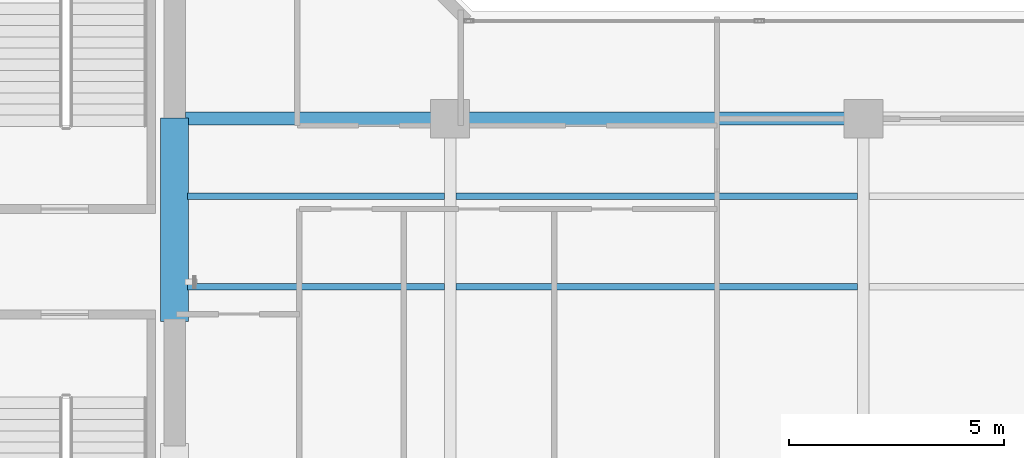
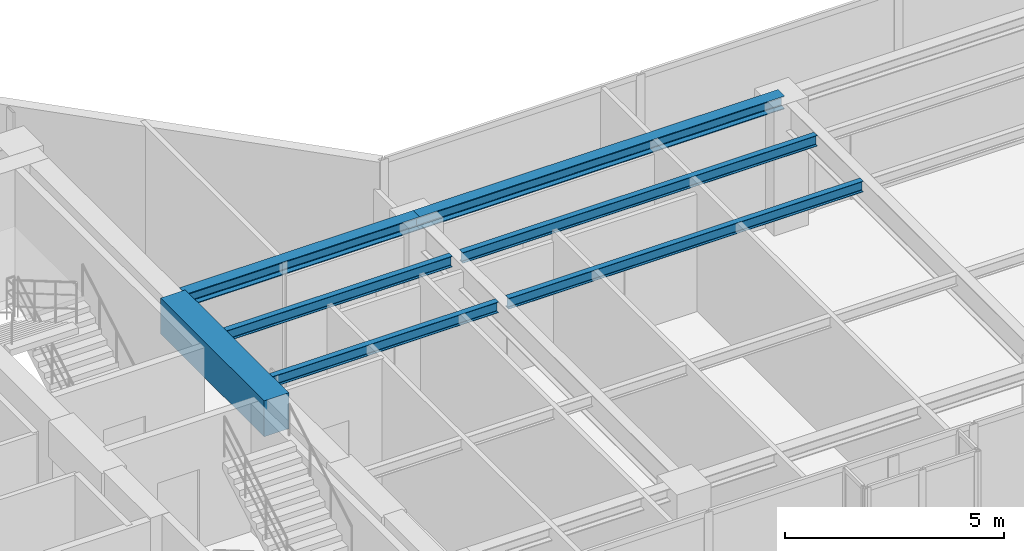
# One storey, part 6 of 23: 7 beams.
"""IFC4 building model written with IfcOpenShell, lengths in metres."""

from ifc_helpers import new_model, si_unit, direction, frame, origin, origin_2d, place, context, subcontext, project, spatial, rectangle, i_section, extrude, material, material_profile, profile_set, type_object, element, save


model = new_model("IFC4")

# Units and contexts
model_context = context("Model", 3, precision=1e-05, world=origin(), true_north=direction((0.0, 1.0)))
body_context = subcontext(model_context, "Body", "Model", "MODEL_VIEW")
ifc_project = project(units=[si_unit("LENGTHUNIT", "METRE"), si_unit("AREAUNIT", "SQUARE_METRE"), si_unit("VOLUMEUNIT", "CUBIC_METRE"), si_unit("PLANEANGLEUNIT", "RADIAN"), si_unit("MASSUNIT", "GRAM", prefix="KILO")], contexts=[model_context])

# Site, building, storey
site_placement = place(None, origin())
site = spatial("IfcSite", under=ifc_project, at=site_placement, CompositionType="ELEMENT")
building_placement = place(site_placement, origin())
building = spatial("IfcBuilding", under=site, at=building_placement, Name="Kolvaren Waterfront Exchange", CompositionType="ELEMENT")
storey_placement = place(building_placement, frame((0.0, 0.0, 297.0)))
storey = spatial("IfcBuildingStorey", under=building, at=storey_placement, Name="L76", CompositionType="ELEMENT", Elevation=297.0)

# Beams
ifc_material_1 = material(Name="Steel S355", Category="steel")
ifc_material_profile_1 = material_profile(ifc_material_1, i_section(OverallWidth=0.300048828125, OverallDepth=0.360107421875, WebThickness=0.012451171875, FlangeThickness=0.0224609375, FilletRadius=0.027099609375, at=origin_2d()), Name="HEB360")
ifc_profile_set_1 = profile_set([ifc_material_profile_1], Name="Steel S355")
beam_type_1 = type_object("IfcBeamType", Name="STR-BM-HEB360", PredefinedType="SPANDREL", material=ifc_profile_set_1)
beam_1_placement = place(storey_placement, frame((21.050048828125, 17.39990234375, 3.3798828125), z_axis=(1.0, 0.0, 0.0), x_axis=(0.0, 1.0, 0.0)))
element("IfcBeam", 1, at=beam_1_placement, inside=storey, type_object=beam_type_1, Name="L76 east-arm spandrel N1", PredefinedType="SPANDREL", context=body_context, shape_type="SweptSolid", body=[
    extrude(i_section(OverallWidth=0.300048828125, OverallDepth=0.360107421875, WebThickness=0.012451171875, FlangeThickness=0.0224609375, FilletRadius=0.027099609375, at=origin_2d()), origin(), (0.0, 0.0, 1.0), 6.14990234375),
])
beam_2_placement = place(storey_placement, frame((27.199951171875, 17.39990234375, 3.3798828125), z_axis=(1.0, 0.0, 0.0), x_axis=(0.0, 1.0, 0.0)))
element("IfcBeam", 2, at=beam_2_placement, inside=storey, type_object=beam_type_1, Name="L76 east-arm spandrel N2", PredefinedType="SPANDREL", context=body_context, shape_type="SweptSolid", body=[
    extrude(i_section(OverallWidth=0.300048828125, OverallDepth=0.360107421875, WebThickness=0.012451171875, FlangeThickness=0.0224609375, FilletRadius=0.027099609375, at=origin_2d()), origin(), (0.0, 0.0, 1.0), 9.60009765625),
])
ifc_material_profile_2 = material_profile(ifc_material_1, i_section(OverallWidth=0.14990234375, OverallDepth=0.300048828125, WebThickness=0.007080078125, FlangeThickness=0.0107421875, FilletRadius=0.014892578125, at=origin_2d()), Name="IPE300")
ifc_profile_set_2 = profile_set([ifc_material_profile_2], Name="Steel S355")
beam_type_2 = type_object("IfcBeamType", Name="STR-BM-IPE300", PredefinedType="JOIST", material=ifc_profile_set_2)
for number, where, z_axis, x_axis, name in (
    (3, (21.10009765625, 13.5, 3.409912109375), (1.0, 0.0, 0.0), (0.0, 1.0, 0.0), "L76 east-arm composite joist 1A"),
    (4, (21.10009765625, 15.60009765625, 3.409912109375), (1.0, 0.0, 0.0), (0.0, 1.0, 0.0), "L76 east-arm composite joist 1C"),
):
    element("IfcBeam", number, at=place(storey_placement, frame(where, z_axis=z_axis, x_axis=x_axis)), inside=storey, type_object=beam_type_2, Name=name, PredefinedType="JOIST", context=body_context, shape_type="SweptSolid", body=[
        extrude(i_section(OverallWidth=0.14990234375, OverallDepth=0.300048828125, WebThickness=0.007080078125, FlangeThickness=0.0107421875, FilletRadius=0.014892578125, at=origin_2d()), origin(), (0.0, 0.0, 1.0), 5.96435546875),
    ])
for number, where, z_axis, x_axis, name in (
    (5, (27.33544921875, 13.5, 3.409912109375), (1.0, 0.0, 0.0), (0.0, 1.0, 0.0), "L76 east-arm composite joist 2A"),
    (6, (27.33544921875, 15.60009765625, 3.409912109375), (1.0, 0.0, 0.0), (0.0, 1.0, 0.0), "L76 east-arm composite joist 2C"),
):
    element("IfcBeam", number, at=place(storey_placement, frame(where, z_axis=z_axis, x_axis=x_axis)), inside=storey, type_object=beam_type_2, Name=name, PredefinedType="JOIST", context=body_context, shape_type="SweptSolid", body=[
        extrude(i_section(OverallWidth=0.14990234375, OverallDepth=0.300048828125, WebThickness=0.007080078125, FlangeThickness=0.0107421875, FilletRadius=0.014892578125, at=origin_2d()), origin(), (0.0, 0.0, 1.0), 9.3291015625),
    ])
ifc_material_2 = material(Name="Concrete C60/75", Category="concrete")
ifc_material_profile_3 = material_profile(ifc_material_2, rectangle(XDim=0.64990234375, YDim=1.0, at=origin_2d()), Name="RC-CB-1000x650")
ifc_profile_set_3 = profile_set([ifc_material_profile_3], Name="Concrete C60/75")
beam_type_3 = type_object("IfcBeamType", Name="STR-CB-1000", PredefinedType="SPANDREL", material=ifc_profile_set_3)
beam_3_placement = place(storey_placement, frame((20.800048828125, 12.68994140625, 3.06005859375), z_axis=(0.0, 1.0, 0.0), x_axis=(-1.0, 0.0, 0.0)))
element("IfcBeam", 7, at=beam_3_placement, inside=storey, type_object=beam_type_3, Name="L76 core coupling beam 2", PredefinedType="SPANDREL", context=body_context, shape_type="SweptSolid", body=[
    extrude(rectangle(XDim=0.64990234375, YDim=1.0, at=origin_2d()), origin(), (0.0, 0.0, 1.0), 4.719970703125),
])

save(model, "model.ifc")
